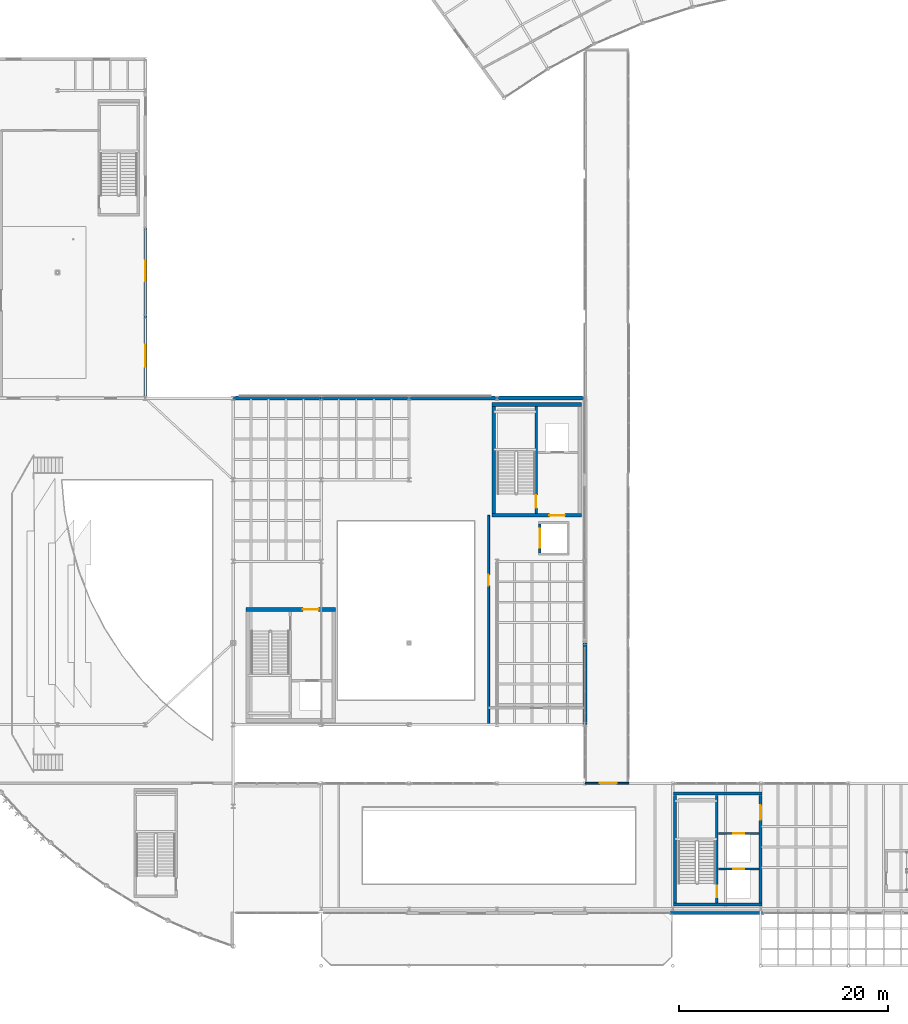
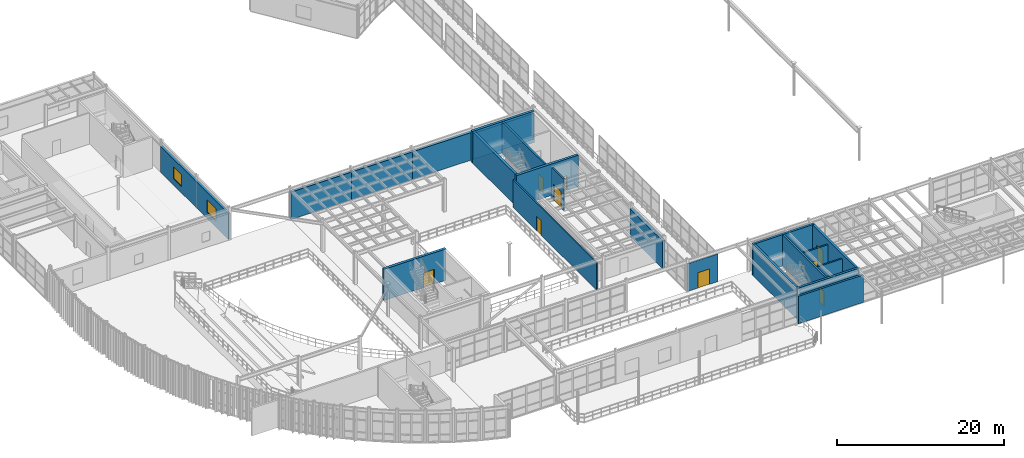
# One storey, part 96 of 116: 22 walls, 10 doors, 2 windows, 12 openings.
"""IFC4 building model written with IfcOpenShell, lengths in metres."""

from ifc_helpers import new_model, si_unit, direction, frame, frame_2d, origin, place, context, subcontext, project, spatial, rectangle, extrude, material, layer, layer_set, type_object, element, fill, save


model = new_model("IFC4")

# Units and contexts
model_context = context("Model", 3, precision=1e-05, world=origin(), true_north=direction((0.0, 1.0)))
body_context = subcontext(model_context, "Body", "Model", "MODEL_VIEW")
ifc_project = project(units=[si_unit("LENGTHUNIT", "METRE"), si_unit("AREAUNIT", "SQUARE_METRE"), si_unit("VOLUMEUNIT", "CUBIC_METRE"), si_unit("PLANEANGLEUNIT", "RADIAN"), si_unit("MASSUNIT", "GRAM", prefix="KILO")], contexts=[model_context])

# Site, building, storey
site_placement = place(None, origin())
site = spatial("IfcSite", under=ifc_project, at=site_placement, CompositionType="ELEMENT")
building_placement = place(site_placement, origin())
building = spatial("IfcBuilding", under=site, at=building_placement, Name="Selat Folded Stagehouse", CompositionType="ELEMENT")
storey_placement = place(building_placement, frame((0.0, 0.0, 5.39990234375)))
storey = spatial("IfcBuildingStorey", under=building, at=storey_placement, Name="L01", CompositionType="ELEMENT", Elevation=5.39990234375)

# Wall, opening, door
ifc_material_1 = material(Name="Concrete C40/50", Category="concrete")
ifc_layer_1 = layer(ifc_material_1, 0.179931640625)
ifc_layer_set_1 = layer_set([ifc_layer_1], Name="Concrete C40/50")
wall_type_1 = type_object("IfcWallType", Name="WAL-COMP-180", PredefinedType="STANDARD", material=ifc_layer_set_1)
wall_1_placement = place(storey_placement, frame((58.0, 23.39990234375, 0.0), z_axis=(0.0, 0.0, 1.0), x_axis=(0.0, 1.0, 0.0)))
wall_1 = element("IfcWall", 1, at=wall_1_placement, inside=storey, type_object=wall_type_1, Name="L01 interior partition wall 045", PredefinedType="STANDARD", context=body_context, shape_type="SweptSolid", body=[
    extrude(rectangle(XDim=20.0, YDim=0.179931640625, at=frame_2d((10.0, 0.0))), origin(), (0.0, 0.0, 1.0), 4.0390625),
])
opening_1_placement = place(wall_1_placement, frame((13.258056640625, 0.0, 0.0)))
opening_1 = element("IfcOpeningElement", 2, at=opening_1_placement, cuts=wall_1, Name="Opening ID-01A", PredefinedType="OPENING", context=body_context, shape_type="SweptSolid", body=[
    extrude(rectangle(XDim=1.06005859375, YDim=2.10009765625, at=frame_2d((0.530029296875, 1.050048828125))), frame((0.0, 0.099853515625, 0.0), z_axis=(0.0, -1.0, 0.0), x_axis=(1.0, 0.0, 0.0)), (0.0, 0.0, 1.0), 0.199951171875),
])
ifc_material_2 = material(Name="Star dressing suite timber door", Category="wood")
door_type_1 = type_object("IfcDoorType", Name="DOR-DRS-1060", OperationType="NOTDEFINED", PredefinedType="DOOR", material=ifc_material_2)
door_1_placement = place(opening_1_placement, origin())
door_1 = element("IfcDoor", 3, at=door_1_placement, inside=storey, type_object=door_type_1, Name="L01 interior door IWAL-L01-045-1", OperationType="SINGLE_SWING_RIGHT", OverallHeight=2.10009765625, OverallWidth=1.06005859375, PredefinedType="DOOR", context=body_context, shape_type="SweptSolid", body=[
    extrude(rectangle(XDim=1.06005859375, YDim=2.10009765625, at=frame_2d((0.530029296875, 1.050048828125))), frame((0.0, 0.02490234375, 0.0), z_axis=(0.0, -1.0, 0.0), x_axis=(1.0, 0.0, 0.0)), (0.0, 0.0, 1.0), 0.050048828125),
])
fill(opening_1, door_1)

ifc_layer_2 = layer(ifc_material_1, 0.215087890625)
ifc_layer_set_2 = layer_set([ifc_layer_2], Name="Concrete C40/50")
wall_type_2 = type_object("IfcWallType", Name="WAL-COMP-215", PredefinedType="STANDARD", material=ifc_layer_set_2)
wall_2_placement = place(storey_placement, frame((62.89990234375, 39.8076171875, 0.0), z_axis=(0.0, 0.0, 1.0), x_axis=(0.0, 1.0, 0.0)))
wall_2 = element("IfcWall", 4, at=wall_2_placement, inside=storey, type_object=wall_type_2, Name="L01 GL-01 west front wall", PredefinedType="STANDARD", context=body_context, shape_type="SweptSolid", body=[
    extrude(rectangle(XDim=2.784912109375, YDim=0.215087890625, at=frame_2d((1.392578125, 0.0))), origin(), (0.0, 0.0, 1.0), 4.572021484375),
])
opening_2_placement = place(wall_2_placement, frame((0.492431640625, 0.0, 0.0)))
opening_2 = element("IfcOpeningElement", 5, at=opening_2_placement, cuts=wall_2, Name="Opening LD-02", PredefinedType="OPENING", context=body_context, shape_type="SweptSolid", body=[
    extrude(rectangle(XDim=1.800048828125, YDim=2.39990234375, at=frame_2d((0.89990234375, 1.199951171875))), frame((0.0, 0.117431640625, 0.0), z_axis=(0.0, -1.0, 0.0), x_axis=(1.0, 0.0, 0.0)), (0.0, 0.0, 1.0), 0.235107421875),
])
ifc_material_3 = material(Name="Goods lift heavy sliding landing door", Category="wood")
door_type_2 = type_object("IfcDoorType", Name="DOR-LFT-1800", OperationType="NOTDEFINED", PredefinedType="DOOR", material=ifc_material_3)
door_2_placement = place(opening_2_placement, origin())
door_2 = element("IfcDoor", 6, at=door_2_placement, inside=storey, type_object=door_type_2, Name="L01 GL-01 lift sliding landing door", OperationType="SLIDING_TO_RIGHT", OverallHeight=2.39990234375, OverallWidth=1.800048828125, PredefinedType="DOOR", context=body_context, shape_type="SweptSolid", body=[
    extrude(rectangle(XDim=1.800048828125, YDim=2.39990234375, at=frame_2d((0.89990234375, 1.199951171875))), frame((0.0, 0.02490234375, 0.0), z_axis=(0.0, -1.0, 0.0), x_axis=(1.0, 0.0, 0.0)), (0.0, 0.0, 1.0), 0.050048828125),
])
fill(opening_2, door_2)

wall_3_placement = place(storey_placement, frame((79.97998046875, 9.60009765625, 0.0), z_axis=(0.0, 0.0, 1.0), x_axis=(1.0, 0.0, 0.0)))
wall_3 = element("IfcWall", 7, at=wall_3_placement, inside=storey, type_object=wall_type_2, Name="L01 PL-01 lift shaft front wall", PredefinedType="STANDARD", context=body_context, shape_type="SweptSolid", body=[
    extrude(rectangle(XDim=3.85009765625, YDim=0.215087890625, at=frame_2d((1.925048828125, 0.0))), origin(), (0.0, 0.0, 1.0), 3.954833984375),
])
opening_3_placement = place(wall_3_placement, frame((1.39990234375, 0.0, 0.0)))
opening_3 = element("IfcOpeningElement", 8, at=opening_3_placement, cuts=wall_3, Name="Opening LD-03", PredefinedType="OPENING", context=body_context, shape_type="SweptSolid", body=[
    extrude(rectangle(XDim=1.050048828125, YDim=2.14990234375, at=frame_2d((0.52490234375, 1.074951171875))), frame((0.0, 0.117431640625, 0.0), z_axis=(0.0, -1.0, 0.0), x_axis=(1.0, 0.0, 0.0)), (0.0, 0.0, 1.0), 0.235107421875),
])
ifc_material_4 = material(Name="Passenger lift stainless sliding landing door", Category="wood")
door_type_3 = type_object("IfcDoorType", Name="DOR-LFT-1050", OperationType="NOTDEFINED", PredefinedType="DOOR", material=ifc_material_4)
door_3_placement = place(opening_3_placement, origin())
door_3 = element("IfcDoor", 9, at=door_3_placement, inside=storey, type_object=door_type_3, Name="L01 PL-01 lift sliding landing door", OperationType="SLIDING_TO_LEFT", OverallHeight=2.14990234375, OverallWidth=1.050048828125, PredefinedType="DOOR", context=body_context, shape_type="SweptSolid", body=[
    extrude(rectangle(XDim=1.050048828125, YDim=2.14990234375, at=frame_2d((0.52490234375, 1.074951171875))), frame((0.0, 0.02490234375, 0.0), z_axis=(0.0, -1.0, 0.0), x_axis=(1.0, 0.0, 0.0)), (0.0, 0.0, 1.0), 0.050048828125),
])
fill(opening_3, door_3)

wall_4_placement = place(storey_placement, frame((79.97998046875, 13.0, 0.0), z_axis=(0.0, 0.0, 1.0), x_axis=(1.0, 0.0, 0.0)))
wall_4 = element("IfcWall", 10, at=wall_4_placement, inside=storey, type_object=wall_type_2, Name="L01 PL-02 lift shaft front wall", PredefinedType="STANDARD", context=body_context, shape_type="SweptSolid", body=[
    extrude(rectangle(XDim=3.85009765625, YDim=0.215087890625, at=frame_2d((1.925048828125, 0.0))), origin(), (0.0, 0.0, 1.0), 3.954833984375),
])
opening_4_placement = place(wall_4_placement, frame((1.39990234375, 0.0, 0.0)))
opening_4 = element("IfcOpeningElement", 11, at=opening_4_placement, cuts=wall_4, Name="Opening LD-03", PredefinedType="OPENING", context=body_context, shape_type="SweptSolid", body=[
    extrude(rectangle(XDim=1.050048828125, YDim=2.14990234375, at=frame_2d((0.52490234375, 1.074951171875))), frame((0.0, 0.117431640625, 0.0), z_axis=(0.0, -1.0, 0.0), x_axis=(1.0, 0.0, 0.0)), (0.0, 0.0, 1.0), 0.235107421875),
])
door_4_placement = place(opening_4_placement, origin())
door_4 = element("IfcDoor", 12, at=door_4_placement, inside=storey, type_object=door_type_3, Name="L01 PL-02 lift sliding landing door", OperationType="SLIDING_TO_RIGHT", OverallHeight=2.14990234375, OverallWidth=1.050048828125, PredefinedType="DOOR", context=body_context, shape_type="SweptSolid", body=[
    extrude(rectangle(XDim=1.050048828125, YDim=2.14990234375, at=frame_2d((0.52490234375, 1.074951171875))), frame((0.0, 0.02490234375, 0.0), z_axis=(0.0, -1.0, 0.0), x_axis=(1.0, 0.0, 0.0)), (0.0, 0.0, 1.0), 0.050048828125),
])
fill(opening_4, door_4)

ifc_material_5 = material(Name="Concrete C50/60", Category="concrete")
ifc_layer_3 = layer(ifc_material_5, 0.25)
ifc_layer_set_3 = layer_set([ifc_layer_3], Name="Concrete C50/60")
wall_type_3 = type_object("IfcWallType", Name="WAL-CORE-250", PredefinedType="SHEAR", material=ifc_layer_set_3)
wall_5_placement = place(storey_placement, frame((62.550048828125, 53.824951171875, 0.0), z_axis=(0.0, 0.0, 1.0), x_axis=(0.0, -1.0, 0.0)))
wall_5 = element("IfcWall", 13, at=wall_5_placement, inside=storey, type_object=wall_type_3, Name="L01 CR-2 internal core divider wall", PredefinedType="SHEAR", context=body_context, shape_type="SweptSolid", body=[
    extrude(rectangle(XDim=10.25, YDim=0.25, at=frame_2d((5.125, 0.0))), origin(), (0.0, 0.0, 1.0), 4.580078125),
])
opening_5_placement = place(wall_5_placement, frame((8.5, 0.0, 0.0)))
opening_5 = element("IfcOpeningElement", 14, at=opening_5_placement, cuts=wall_5, Name="Opening FD-120", PredefinedType="OPENING", context=body_context, shape_type="SweptSolid", body=[
    extrude(rectangle(XDim=1.199951171875, YDim=2.14990234375, at=frame_2d((0.60009765625, 1.074951171875))), frame((0.0, 0.135009765625, 0.0), z_axis=(0.0, -1.0, 0.0), x_axis=(1.0, 0.0, 0.0)), (0.0, 0.0, 1.0), 0.27001953125),
])
ifc_material_6 = material(Name="Fire-rated steel acoustic door", Category="steel")
door_type_4 = type_object("IfcDoorType", Name="DOR-FIRE-120", OperationType="NOTDEFINED", PredefinedType="DOOR", material=ifc_material_6)
door_5_placement = place(opening_5_placement, origin())
door_5 = element("IfcDoor", 15, at=door_5_placement, inside=storey, type_object=door_type_4, Name="L01 CR-2 protected stair fire door", OperationType="SINGLE_SWING_LEFT", OverallHeight=2.14990234375, OverallWidth=1.199951171875, PredefinedType="DOOR", context=body_context, shape_type="SweptSolid", body=[
    extrude(rectangle(XDim=1.199951171875, YDim=2.14990234375, at=frame_2d((0.60009765625, 1.074951171875))), frame((0.0, 0.02490234375, 0.0), z_axis=(0.0, -1.0, 0.0), x_axis=(1.0, 0.0, 0.0)), (0.0, 0.0, 1.0), 0.050048828125),
])
fill(opening_5, door_5)

wall_6_placement = place(storey_placement, frame((79.820068359375, 16.64990234375, 0.0), z_axis=(0.0, 0.0, 1.0), x_axis=(0.0, -1.0, 0.0)))
wall_6 = element("IfcWall", 16, at=wall_6_placement, inside=storey, type_object=wall_type_3, Name="L01 CR-3 internal core divider wall", PredefinedType="SHEAR", context=body_context, shape_type="SweptSolid", body=[
    extrude(rectangle(XDim=10.2998046875, YDim=0.25, at=frame_2d((5.14990234375, 0.0))), origin(), (0.0, 0.0, 1.0), 4.580078125),
])
opening_6_placement = place(wall_6_placement, frame((8.64990234375, 0.0, 0.0)))
opening_6 = element("IfcOpeningElement", 17, at=opening_6_placement, cuts=wall_6, Name="Opening FD-60", PredefinedType="OPENING", context=body_context, shape_type="SweptSolid", body=[
    extrude(rectangle(XDim=1.10009765625, YDim=2.14990234375, at=frame_2d((0.550048828125, 1.074951171875))), frame((0.0, 0.135009765625, 0.0), z_axis=(0.0, -1.0, 0.0), x_axis=(1.0, 0.0, 0.0)), (0.0, 0.0, 1.0), 0.27001953125),
])
ifc_material_7 = material(Name="Fire-rated timber core door", Category="wood")
door_type_5 = type_object("IfcDoorType", Name="DOR-FIRE-60", OperationType="NOTDEFINED", PredefinedType="DOOR", material=ifc_material_7)
door_6_placement = place(opening_6_placement, origin())
door_6 = element("IfcDoor", 18, at=door_6_placement, inside=storey, type_object=door_type_5, Name="L01 CR-3 protected stair fire door", OperationType="SINGLE_SWING_LEFT", OverallHeight=2.14990234375, OverallWidth=1.10009765625, PredefinedType="DOOR", context=body_context, shape_type="SweptSolid", body=[
    extrude(rectangle(XDim=1.10009765625, YDim=2.14990234375, at=frame_2d((0.550048828125, 1.074951171875))), frame((0.0, 0.02490234375, 0.0), z_axis=(0.0, -1.0, 0.0), x_axis=(1.0, 0.0, 0.0)), (0.0, 0.0, 1.0), 0.050048828125),
])
fill(opening_6, door_6)

# Wall
ifc_material_8 = material(Name="Precast concrete C40/50", Category="concrete")
ifc_layer_4 = layer(ifc_material_8, 0.27490234375)
ifc_layer_set_4 = layer_set([ifc_layer_4], Name="Precast concrete C40/50")
wall_type_4 = type_object("IfcWallType", Name="WAL-EXT-275", PredefinedType="STANDARD", material=ifc_layer_set_4)
wall_7_placement = place(storey_placement, frame((84.300048828125, 5.39990234375, 0.0), z_axis=(0.0, 0.0, 1.0), x_axis=(-1.0, 0.0, 0.0)))
element("IfcWall", 19, at=wall_7_placement, inside=storey, type_object=wall_type_4, Name="L01 exterior facade wall EW-L01-FYR-S2", PredefinedType="STANDARD", context=body_context, shape_type="SweptSolid", body=[
    extrude(rectangle(XDim=9.0, YDim=0.27490234375, at=frame_2d((4.5, 0.0))), origin(), (0.0, 0.0, 1.0), 4.0126953125),
])

# Wall, openings, windows
wall_8_placement = place(storey_placement, frame((25.199951171875, 70.800048828125, 0.0), z_axis=(0.0, 0.0, 1.0), x_axis=(0.0, -1.0, 0.0)))
wall_8 = element("IfcWall", 20, at=wall_8_placement, inside=storey, type_object=wall_type_4, Name="L01 exterior facade wall EW-L01-V4E-2", PredefinedType="STANDARD", context=body_context, shape_type="SweptSolid", body=[
    extrude(rectangle(XDim=16.199951171875, YDim=0.27490234375, at=frame_2d((8.10009765625, 0.0))), origin(), (0.0, 0.0, 1.0), 3.80224609375),
])
opening_7_placement = place(wall_8_placement, frame((3.074951171875, 0.0, 0.89990234375)))
opening_7 = element("IfcOpeningElement", 21, at=opening_7_placement, cuts=wall_8, Name="Opening WN-04", PredefinedType="OPENING", context=body_context, shape_type="SweptSolid", body=[
    extrude(rectangle(XDim=1.949951171875, YDim=1.800048828125, at=frame_2d((0.97509765625, 0.89990234375))), frame((0.0, 0.1474609375, 0.0), z_axis=(0.0, -1.0, 0.0), x_axis=(1.0, 0.0, 0.0)), (0.0, 0.0, 1.0), 0.294921875),
])
opening_8_placement = place(wall_8_placement, frame((11.10009765625, 0.0, 0.89990234375)))
opening_8 = element("IfcOpeningElement", 22, at=opening_8_placement, cuts=wall_8, Name="Opening WN-03", PredefinedType="OPENING", context=body_context, shape_type="SweptSolid", body=[
    extrude(rectangle(XDim=2.10009765625, YDim=1.800048828125, at=frame_2d((1.050048828125, 0.89990234375))), frame((0.0, 0.1474609375, 0.0), z_axis=(0.0, -1.0, 0.0), x_axis=(1.0, 0.0, 0.0)), (0.0, 0.0, 1.0), 0.294921875),
])
ifc_material_9 = material(Name="Thermally broken aluminium and acoustic low-E glass", Category="aluminium")
window_type_1 = type_object("IfcWindowType", Name="WIN-WK-1950x1800", PartitioningType="SINGLE_PANEL", PredefinedType="WINDOW", material=ifc_material_9)
window_1_placement = place(opening_7_placement, origin())
window_1 = element("IfcWindow", 23, at=window_1_placement, inside=storey, type_object=window_type_1, Name="L01 exterior window EW-L01-V4E-2-1", OverallHeight=1.800048828125, OverallWidth=1.949951171875, PartitioningType="SINGLE_PANEL", PredefinedType="WINDOW", context=body_context, shape_type="SweptSolid", body=[
    extrude(rectangle(XDim=1.949951171875, YDim=1.800048828125, at=frame_2d((0.97509765625, 0.89990234375))), frame((0.0, 0.030029296875, 0.0), z_axis=(0.0, -1.0, 0.0), x_axis=(1.0, 0.0, 0.0)), (0.0, 0.0, 1.0), 0.06005859375),
])
fill(opening_7, window_1)
window_type_2 = type_object("IfcWindowType", Name="WIN-WK-2100x1800", PartitioningType="SINGLE_PANEL", PredefinedType="WINDOW", material=ifc_material_9)
window_2_placement = place(opening_8_placement, origin())
window_2 = element("IfcWindow", 24, at=window_2_placement, inside=storey, type_object=window_type_2, Name="L01 exterior window EW-L01-V4E-2-2", OverallHeight=1.800048828125, OverallWidth=2.10009765625, PartitioningType="SINGLE_PANEL", PredefinedType="WINDOW", context=body_context, shape_type="SweptSolid", body=[
    extrude(rectangle(XDim=2.10009765625, YDim=1.800048828125, at=frame_2d((1.050048828125, 0.89990234375))), frame((0.0, 0.030029296875, 0.0), z_axis=(0.0, -1.0, 0.0), x_axis=(1.0, 0.0, 0.0)), (0.0, 0.0, 1.0), 0.06005859375),
])
fill(opening_8, window_2)

# Walls
ifc_layer_5 = layer(ifc_material_8, 0.3798828125)
ifc_layer_set_5 = layer_set([ifc_layer_5], Name="Precast concrete C40/50")
wall_type_5 = type_object("IfcWallType", Name="WAL-EXT-380", PredefinedType="STANDARD", material=ifc_layer_set_5)
for number, where, z_axis, x_axis, name in (
    (25, (33.60009765625, 54.60009765625, 0.0), (0.0, 0.0, 1.0), (1.0, 0.0, 0.0), "L01 exterior facade wall EW-L01-V2N-33"),
    (26, (42.0, 54.60009765625, 0.0), (0.0, 0.0, 1.0), (1.0, 0.0, 0.0), "L01 exterior facade wall EW-L01-V2N-42"),
):
    element("IfcWall", number, at=place(storey_placement, frame(where, z_axis=z_axis, x_axis=x_axis)), inside=storey, type_object=wall_type_5, Name=name, PredefinedType="STANDARD", context=body_context, shape_type="SweptSolid", body=[
        extrude(rectangle(XDim=8.39990234375, YDim=0.3798828125, at=frame_2d((4.199951171875, 0.0))), origin(), (0.0, 0.0, 1.0), 4.03271484375),
    ])
wall_9_placement = place(storey_placement, frame((50.39990234375, 54.60009765625, 0.0), z_axis=(0.0, 0.0, 1.0), x_axis=(1.0, 0.0, 0.0)))
element("IfcWall", 27, at=wall_9_placement, inside=storey, type_object=wall_type_5, Name="L01 exterior facade wall EW-L01-V2N-50", PredefinedType="STANDARD", context=body_context, shape_type="SweptSolid", body=[
    extrude(rectangle(XDim=8.400146484375, YDim=0.3798828125, at=frame_2d((4.2001953125, 0.0))), origin(), (0.0, 0.0, 1.0), 4.03271484375),
])
wall_10_placement = place(storey_placement, frame((58.800048828125, 54.60009765625, 0.0), z_axis=(0.0, 0.0, 1.0), x_axis=(1.0, 0.0, 0.0)))
element("IfcWall", 28, at=wall_10_placement, inside=storey, type_object=wall_type_5, Name="L01 exterior facade wall EW-L01-V2N-58", PredefinedType="STANDARD", context=body_context, shape_type="SweptSolid", body=[
    extrude(rectangle(XDim=8.39990234375, YDim=0.3798828125, at=frame_2d((4.199951171875, 0.0))), origin(), (0.0, 0.0, 1.0), 3.80224609375),
])
wall_11_placement = place(storey_placement, frame((67.199951171875, 31.199951171875, 0.0), z_axis=(0.0, 0.0, 1.0), x_axis=(0.0, -1.0, 0.0)))
element("IfcWall", 29, at=wall_11_placement, inside=storey, type_object=wall_type_5, Name="L01 exterior facade wall EW-L01-V2E-23", PredefinedType="STANDARD", context=body_context, shape_type="SweptSolid", body=[
    extrude(rectangle(XDim=7.800048828125, YDim=0.3798828125, at=frame_2d((3.89990234375, 0.0))), origin(), (0.0, 0.0, 1.0), 4.03271484375),
])

# Wall, opening, door
ifc_material_10 = material(Name="Fire-rated drywall stud partition", Category="gypsum")
ifc_layer_6 = layer(ifc_material_10, 0.14990234375)
ifc_layer_set_6 = layer_set([ifc_layer_6], Name="Fire-rated drywall stud partition")
wall_type_6 = type_object("IfcWallType", Name="WAL-PART-150", PredefinedType="PARTITIONING", material=ifc_layer_set_6)
wall_12_placement = place(storey_placement, frame((67.199951171875, 17.800048828125, 0.0), z_axis=(0.0, 0.0, 1.0), x_axis=(1.0, 0.0, 0.0)))
wall_12 = element("IfcWall", 30, at=wall_12_placement, inside=storey, type_object=wall_type_6, Name="L01 interior partition wall 047", PredefinedType="PARTITIONING", context=body_context, shape_type="SweptSolid", body=[
    extrude(rectangle(XDim=4.199951171875, YDim=0.14990234375, at=frame_2d((2.10009765625, 0.0))), origin(), (0.0, 0.0, 1.0), 4.0390625),
])
opening_9_placement = place(wall_12_placement, frame((1.429931640625, 0.0, 0.0)))
opening_9 = element("IfcOpeningElement", 31, at=opening_9_placement, cuts=wall_12, Name="Opening RD-01", PredefinedType="OPENING", context=body_context, shape_type="SweptSolid", body=[
    extrude(rectangle(XDim=1.60009765625, YDim=2.25, at=frame_2d((0.800048828125, 1.125))), frame((0.0, 0.0849609375, 0.0), z_axis=(0.0, -1.0, 0.0), x_axis=(1.0, 0.0, 0.0)), (0.0, 0.0, 1.0), 0.169921875),
])
ifc_material_11 = material(Name="Rehearsal studio acoustic leaf-and-half door", Category="wood")
door_type_6 = type_object("IfcDoorType", Name="DOR-REH-1600", OperationType="NOTDEFINED", PredefinedType="DOOR", material=ifc_material_11)
door_7_placement = place(opening_9_placement, origin())
door_7 = element("IfcDoor", 32, at=door_7_placement, inside=storey, type_object=door_type_6, Name="L01 interior door IWAL-L01-047-1", OperationType="SINGLE_SWING_RIGHT", OverallHeight=2.25, OverallWidth=1.60009765625, PredefinedType="DOOR", context=body_context, shape_type="SweptSolid", body=[
    extrude(rectangle(XDim=1.60009765625, YDim=2.25, at=frame_2d((0.800048828125, 1.125))), frame((0.0, 0.02490234375, 0.0), z_axis=(0.0, -1.0, 0.0), x_axis=(1.0, 0.0, 0.0)), (0.0, 0.0, 1.0), 0.050048828125),
])
fill(opening_9, door_7)

# Walls
ifc_layer_7 = layer(ifc_material_5, 0.300048828125)
ifc_layer_set_7 = layer_set([ifc_layer_7], Name="Concrete C50/60")
wall_type_7 = type_object("IfcWallType", Name="WAL-SW-300", PredefinedType="SHEAR", material=ifc_layer_set_7)
for number, where, z_axis, x_axis, name in (
    (33, (84.14990234375, 6.199951171875, 0.0), (0.0, 0.0, 1.0), (-1.0, 0.0, 0.0), "L01 CR-3 south shear wall"),
    (34, (75.64990234375, 16.800048828125, 0.0), (0.0, 0.0, 1.0), (1.0, 0.0, 0.0), "L01 CR-3 north shear wall"),
):
    element("IfcWall", number, at=place(storey_placement, frame(where, z_axis=z_axis, x_axis=x_axis)), inside=storey, type_object=wall_type_7, Name=name, PredefinedType="SHEAR", context=body_context, shape_type="SweptSolid", body=[
        extrude(rectangle(XDim=8.5, YDim=0.300048828125, at=frame_2d((4.25, 0.0))), origin(), (0.0, 0.0, 1.0), 4.580078125),
    ])
wall_13_placement = place(storey_placement, frame((75.800048828125, 6.35009765625, 0.0), z_axis=(0.0, 0.0, 1.0), x_axis=(0.0, 1.0, 0.0)))
element("IfcWall", 35, at=wall_13_placement, inside=storey, type_object=wall_type_7, Name="L01 CR-3 west shear wall", PredefinedType="SHEAR", context=body_context, shape_type="SweptSolid", body=[
    extrude(rectangle(XDim=10.2998046875, YDim=0.300048828125, at=frame_2d((5.14990234375, 0.0))), origin(), (0.0, 0.0, 1.0), 4.580078125),
])

# Wall, opening, door
wall_14_placement = place(storey_placement, frame((84.0, 16.64990234375, 0.0), z_axis=(0.0, 0.0, 1.0), x_axis=(0.0, -1.0, 0.0)))
wall_14 = element("IfcWall", 36, at=wall_14_placement, inside=storey, type_object=wall_type_7, Name="L01 CR-3 east shear wall", PredefinedType="SHEAR", context=body_context, shape_type="SweptSolid", body=[
    extrude(rectangle(XDim=10.2998046875, YDim=0.300048828125, at=frame_2d((5.14990234375, 0.0))), origin(), (0.0, 0.0, 1.0), 4.580078125),
])
opening_10_placement = place(wall_14_placement, frame((0.97509765625, 0.0, 0.0)))
opening_10 = element("IfcOpeningElement", 37, at=opening_10_placement, cuts=wall_14, Name="Opening FD-60B", PredefinedType="OPENING", context=body_context, shape_type="SweptSolid", body=[
    extrude(rectangle(XDim=1.35009765625, YDim=2.14990234375, at=frame_2d((0.675048828125, 1.074951171875))), frame((0.0, 0.159912109375, 0.0), z_axis=(0.0, -1.0, 0.0), x_axis=(1.0, 0.0, 0.0)), (0.0, 0.0, 1.0), 0.320068359375),
])
ifc_material_12 = material(Name="Protected stair escape door", Category="wood")
door_type_7 = type_object("IfcDoorType", Name="DOR-STR-1350", OperationType="NOTDEFINED", PredefinedType="DOOR", material=ifc_material_12)
door_8_placement = place(opening_10_placement, origin())
door_8 = element("IfcDoor", 38, at=door_8_placement, inside=storey, type_object=door_type_7, Name="L01 CR-3 core lobby fire door", OperationType="SINGLE_SWING_RIGHT", OverallHeight=2.14990234375, OverallWidth=1.35009765625, PredefinedType="DOOR", context=body_context, shape_type="SweptSolid", body=[
    extrude(rectangle(XDim=1.35009765625, YDim=2.14990234375, at=frame_2d((0.675048828125, 1.074951171875))), frame((0.0, 0.02490234375, 0.0), z_axis=(0.0, -1.0, 0.0), x_axis=(1.0, 0.0, 0.0)), (0.0, 0.0, 1.0), 0.050048828125),
])
fill(opening_10, door_8)

ifc_layer_8 = layer(ifc_material_5, 0.35009765625)
ifc_layer_set_8 = layer_set([ifc_layer_8], Name="Concrete C50/60")
wall_type_8 = type_object("IfcWallType", Name="WAL-SW-350", PredefinedType="SHEAR", material=ifc_layer_set_8)
wall_15_placement = place(storey_placement, frame((34.824951171875, 34.39990234375, 0.0), z_axis=(0.0, 0.0, 1.0), x_axis=(1.0, 0.0, 0.0)))
wall_15 = element("IfcWall", 39, at=wall_15_placement, inside=storey, type_object=wall_type_8, Name="L01 CR-1 north shear wall", PredefinedType="SHEAR", context=body_context, shape_type="SweptSolid", body=[
    extrude(rectangle(XDim=8.550048828125, YDim=0.35009765625, at=frame_2d((4.27490234375, 0.0))), origin(), (0.0, 0.0, 1.0), 4.580078125),
])
opening_11_placement = place(wall_15_placement, frame((5.425048828125, 0.0, 0.0)))
opening_11 = element("IfcOpeningElement", 40, at=opening_11_placement, cuts=wall_15, Name="Opening FD-120B", PredefinedType="OPENING", context=body_context, shape_type="SweptSolid", body=[
    extrude(rectangle(XDim=1.5, YDim=2.14990234375, at=frame_2d((0.75, 1.074951171875))), frame((0.0, 0.18505859375, 0.0), z_axis=(0.0, -1.0, 0.0), x_axis=(1.0, 0.0, 0.0)), (0.0, 0.0, 1.0), 0.3701171875),
])
ifc_material_13 = material(Name="Firefighting lobby double-leaf fire door", Category="wood")
door_type_8 = type_object("IfcDoorType", Name="DOR-FFL-1500", OperationType="NOTDEFINED", PredefinedType="DOOR", material=ifc_material_13)
door_9_placement = place(opening_11_placement, origin())
door_9 = element("IfcDoor", 41, at=door_9_placement, inside=storey, type_object=door_type_8, Name="L01 CR-1 core lobby fire door", OperationType="SINGLE_SWING_RIGHT", OverallHeight=2.14990234375, OverallWidth=1.5, PredefinedType="DOOR", context=body_context, shape_type="SweptSolid", body=[
    extrude(rectangle(XDim=1.5, YDim=2.14990234375, at=frame_2d((0.75, 1.074951171875))), frame((0.0, 0.02490234375, 0.0), z_axis=(0.0, -1.0, 0.0), x_axis=(1.0, 0.0, 0.0)), (0.0, 0.0, 1.0), 0.050048828125),
])
fill(opening_11, door_9)

wall_16_placement = place(storey_placement, frame((66.875, 43.39990234375, 0.0), z_axis=(0.0, 0.0, 1.0), x_axis=(-1.0, 0.0, 0.0)))
wall_16 = element("IfcWall", 42, at=wall_16_placement, inside=storey, type_object=wall_type_8, Name="L01 CR-2 south shear wall", PredefinedType="SHEAR", context=body_context, shape_type="SweptSolid", body=[
    extrude(rectangle(XDim=8.550048828125, YDim=0.35009765625, at=frame_2d((4.27490234375, 0.0))), origin(), (0.0, 0.0, 1.0), 4.580078125),
])
opening_12_placement = place(wall_16_placement, frame((1.574951171875, 0.0, 0.0)))
opening_12 = element("IfcOpeningElement", 43, at=opening_12_placement, cuts=wall_16, Name="Opening FD-120B", PredefinedType="OPENING", context=body_context, shape_type="SweptSolid", body=[
    extrude(rectangle(XDim=1.5, YDim=2.14990234375, at=frame_2d((0.75, 1.074951171875))), frame((0.0, 0.18505859375, 0.0), z_axis=(0.0, -1.0, 0.0), x_axis=(1.0, 0.0, 0.0)), (0.0, 0.0, 1.0), 0.3701171875),
])
door_10_placement = place(opening_12_placement, origin())
door_10 = element("IfcDoor", 44, at=door_10_placement, inside=storey, type_object=door_type_8, Name="L01 CR-2 core lobby fire door", OperationType="SINGLE_SWING_RIGHT", OverallHeight=2.14990234375, OverallWidth=1.5, PredefinedType="DOOR", context=body_context, shape_type="SweptSolid", body=[
    extrude(rectangle(XDim=1.5, YDim=2.14990234375, at=frame_2d((0.75, 1.074951171875))), frame((0.0, 0.02490234375, 0.0), z_axis=(0.0, -1.0, 0.0), x_axis=(1.0, 0.0, 0.0)), (0.0, 0.0, 1.0), 0.050048828125),
])
fill(opening_12, door_10)

# Walls
wall_17_placement = place(storey_placement, frame((58.324951171875, 54.0, 0.0), z_axis=(0.0, 0.0, 1.0), x_axis=(1.0, 0.0, 0.0)))
element("IfcWall", 45, at=wall_17_placement, inside=storey, type_object=wall_type_8, Name="L01 CR-2 north shear wall", PredefinedType="SHEAR", context=body_context, shape_type="SweptSolid", body=[
    extrude(rectangle(XDim=8.550048828125, YDim=0.35009765625, at=frame_2d((4.27490234375, 0.0))), origin(), (0.0, 0.0, 1.0), 4.580078125),
])
wall_18_placement = place(storey_placement, frame((58.5, 43.574951171875, 0.0), z_axis=(0.0, 0.0, 1.0), x_axis=(0.0, 1.0, 0.0)))
element("IfcWall", 46, at=wall_18_placement, inside=storey, type_object=wall_type_8, Name="L01 CR-2 west shear wall", PredefinedType="SHEAR", context=body_context, shape_type="SweptSolid", body=[
    extrude(rectangle(XDim=10.25, YDim=0.35009765625, at=frame_2d((5.125, 0.0))), origin(), (0.0, 0.0, 1.0), 4.580078125),
])

save(model, "model.ifc")
